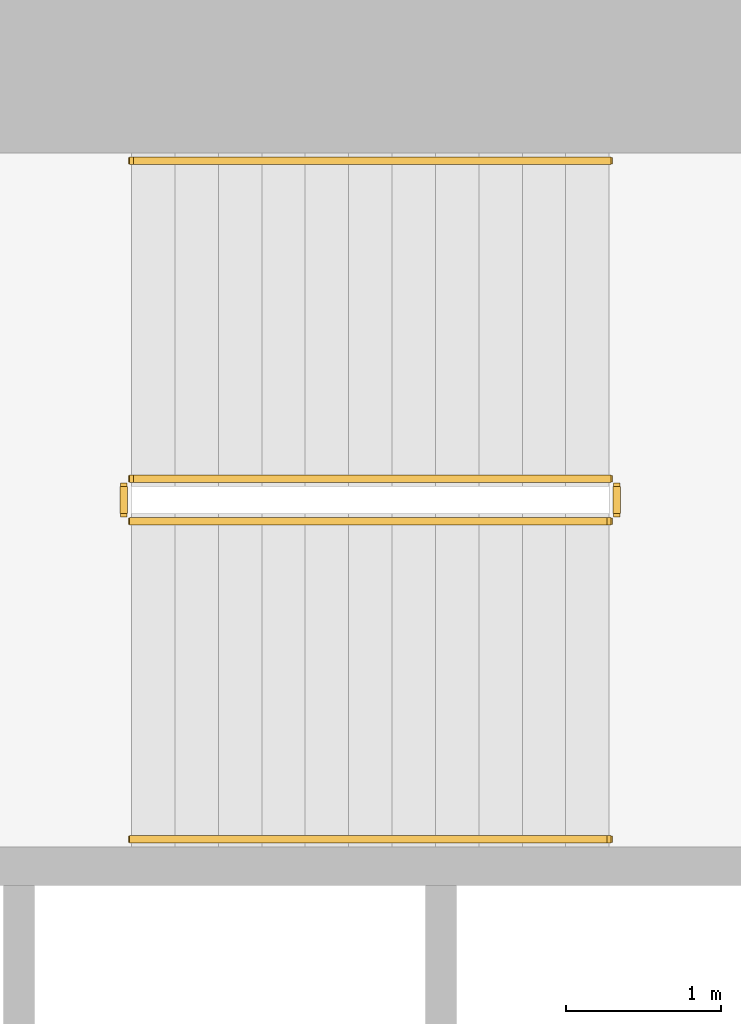
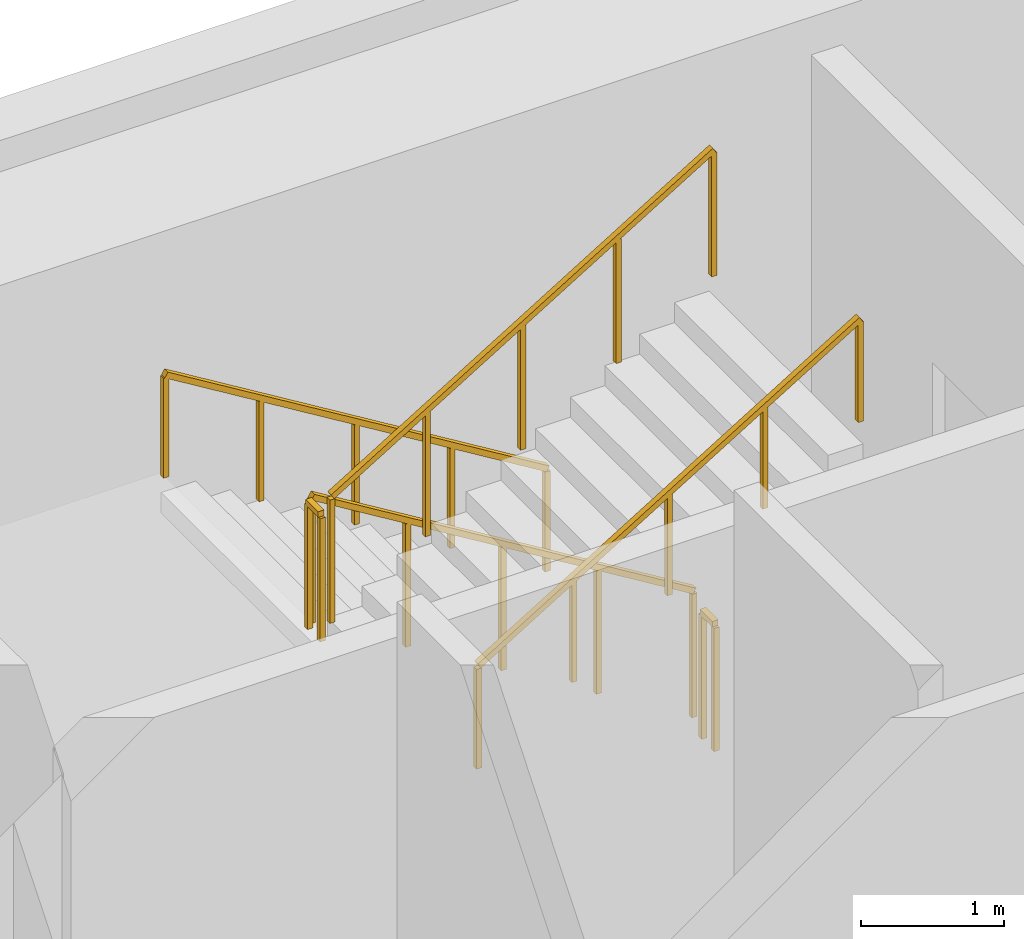
# One storey, part 14 of 16: 6 railings.
"""IFC4 building model written with IfcOpenShell, lengths in metres."""

from ifc_helpers import new_model, si_unit, direction, frame, origin, origin_2d, place, context, subcontext, project, spatial, rectangle, extrude, material, type_object, element, save


model = new_model("IFC4")

# Units and contexts
model_context = context("Model", 3, precision=1e-05, world=origin(), true_north=direction((0.0, 1.0)))
body_context = subcontext(model_context, "Body", "Model", "MODEL_VIEW")
ifc_project = project(units=[si_unit("LENGTHUNIT", "METRE"), si_unit("AREAUNIT", "SQUARE_METRE"), si_unit("VOLUMEUNIT", "CUBIC_METRE"), si_unit("PLANEANGLEUNIT", "RADIAN"), si_unit("MASSUNIT", "GRAM", prefix="KILO")], contexts=[model_context])

# Site, building, storey
site_placement = place(None, origin())
site = spatial("IfcSite", under=ifc_project, at=site_placement, CompositionType="ELEMENT")
building_placement = place(site_placement, origin())
building = spatial("IfcBuilding", under=site, at=building_placement, Name="Cypress Arch Tower", CompositionType="ELEMENT")
storey_placement = place(building_placement, frame((0.0, 0.0, 172.800048828125)))
storey = spatial("IfcBuildingStorey", under=building, at=storey_placement, Name="L37", CompositionType="ELEMENT", Elevation=172.800048828125)

# Railings
ifc_material_1 = material(Name="Black powder-coated steel square bar 48 mm", Category="steel")
railing_type_1 = type_object("IfcRailingType", Name="Stair handrail HR1", PredefinedType="HANDRAIL", material=ifc_material_1)
railing_1_placement = place(storey_placement, frame((-22.27490234375, 14.75, 0.1708984375)))
element("IfcRailing", 1, at=railing_1_placement, inside=storey, type_object=railing_type_1, Name="L37 B stair handrail 1", PredefinedType="HANDRAIL", context=body_context, shape_type="SweptSolid", body=[
    extrude(rectangle(XDim=0.048095703125, YDim=0.048095703125, at=origin_2d()), frame((0.0, 0.0, 0.8759765625), z_axis=(-0.853666305674, 0.0, 0.52082035152), x_axis=(0.0, -1.0, 0.0)), (0.0, 0.0, 1.0), 3.608154296875),
    extrude(rectangle(XDim=0.0419921875, YDim=0.0419921875, at=origin_2d()), origin(), (0.0, 0.0, 1.0), 0.851806640625),
    extrude(rectangle(XDim=0.0419921875, YDim=0.0419921875, at=origin_2d()), frame((-0.77001953125, 0.0, 0.4697265625)), (0.0, 0.0, 1.0), 0.851806640625),
    extrude(rectangle(XDim=0.0419921875, YDim=0.0419921875, at=origin_2d()), frame((-1.5400390625, 0.0, 0.939453125)), (0.0, 0.0, 1.0), 0.851806640625),
    extrude(rectangle(XDim=0.0419921875, YDim=0.0419921875, at=origin_2d()), frame((-2.31005859375, 0.0, 1.409423828125)), (0.0, 0.0, 1.0), 0.851806640625),
    extrude(rectangle(XDim=0.0419921875, YDim=0.0419921875, at=origin_2d()), frame((-3.080078125, 0.0, 1.879150390625)), (0.0, 0.0, 1.0), 0.851806640625),
])
railing_2_placement = place(storey_placement, frame((-25.35498046875, 10.375, 2.220703125)))
element("IfcRailing", 2, at=railing_2_placement, inside=storey, type_object=railing_type_1, Name="L37 B stair handrail 2", PredefinedType="HANDRAIL", context=body_context, shape_type="SweptSolid", body=[
    extrude(rectangle(XDim=0.048095703125, YDim=0.048095703125, at=origin_2d()), frame((0.0, 0.0, 0.8759765625), z_axis=(0.853666305674, 0.0, 0.52082035152), x_axis=(0.0, 1.0, 0.0)), (0.0, 0.0, 1.0), 3.608154296875),
    extrude(rectangle(XDim=0.0419921875, YDim=0.0419921875, at=origin_2d()), origin(), (0.0, 0.0, 1.0), 0.851806640625),
    extrude(rectangle(XDim=0.0419921875, YDim=0.0419921875, at=origin_2d()), frame((0.77001953125, 0.0, 0.4697265625)), (0.0, 0.0, 1.0), 0.851806640625),
    extrude(rectangle(XDim=0.0419921875, YDim=0.0419921875, at=origin_2d()), frame((1.5400390625, 0.0, 0.939453125)), (0.0, 0.0, 1.0), 0.851806640625),
    extrude(rectangle(XDim=0.0419921875, YDim=0.0419921875, at=origin_2d()), frame((2.31005859375, 0.0, 1.409423828125)), (0.0, 0.0, 1.0), 0.851806640625),
    extrude(rectangle(XDim=0.0419921875, YDim=0.0419921875, at=origin_2d()), frame((3.080078125, 0.0, 1.879150390625)), (0.0, 0.0, 1.0), 0.851806640625),
])
ifc_material_2 = material(Name="Black powder-coated steel balusters", Category="steel")
railing_type_2 = type_object("IfcRailingType", Name="Stair well guard G1", PredefinedType="GUARDRAIL", material=ifc_material_2)
railing_3_placement = place(storey_placement, frame((-22.27490234375, 12.699951171875, 0.1708984375)))
element("IfcRailing", 3, at=railing_3_placement, inside=storey, type_object=railing_type_2, Name="L37 B stair guard 1", PredefinedType="GUARDRAIL", context=body_context, shape_type="SweptSolid", body=[
    extrude(rectangle(XDim=0.048095703125, YDim=0.048095703125, at=origin_2d()), frame((0.0, 0.0, 1.076171875), z_axis=(-0.853666305674, 0.0, 0.52082035152), x_axis=(0.0, -1.0, 0.0)), (0.0, 0.0, 1.0), 3.608154296875),
    extrude(rectangle(XDim=0.0419921875, YDim=0.0419921875, at=origin_2d()), origin(), (0.0, 0.0, 1.0), 1.052001953125),
    extrude(rectangle(XDim=0.0419921875, YDim=0.0419921875, at=origin_2d()), frame((-0.77001953125, 0.0, 0.4697265625)), (0.0, 0.0, 1.0), 1.052001953125),
    extrude(rectangle(XDim=0.0419921875, YDim=0.0419921875, at=origin_2d()), frame((-1.5400390625, 0.0, 0.939453125)), (0.0, 0.0, 1.0), 1.052001953125),
    extrude(rectangle(XDim=0.0419921875, YDim=0.0419921875, at=origin_2d()), frame((-2.31005859375, 0.0, 1.409423828125)), (0.0, 0.0, 1.0), 1.052001953125),
    extrude(rectangle(XDim=0.0419921875, YDim=0.0419921875, at=origin_2d()), frame((-3.080078125, 0.0, 1.879150390625)), (0.0, 0.0, 1.0), 1.052001953125),
])
railing_4_placement = place(storey_placement, frame((-25.405029296875, 12.64990234375, 2.050048828125)))
element("IfcRailing", 4, at=railing_4_placement, inside=storey, type_object=railing_type_2, Name="L37 B stair guard 2", PredefinedType="GUARDRAIL", context=body_context, shape_type="SweptSolid", body=[
    extrude(rectangle(XDim=0.048095703125, YDim=0.048095703125, at=origin_2d()), frame((0.0, 0.0, 1.076171875), z_axis=(0.0, -1.0, 0.0), x_axis=(1.0, 0.0, 0.0)), (0.0, 0.0, 1.0), 0.1748046875),
    extrude(rectangle(XDim=0.0419921875, YDim=0.0419921875, at=origin_2d()), origin(), (0.0, 0.0, 1.0), 1.052001953125),
    extrude(rectangle(XDim=0.0419921875, YDim=0.0419921875, at=origin_2d()), frame((0.0, -0.1748046875, 0.0)), (0.0, 0.0, 1.0), 1.052001953125),
])
railing_5_placement = place(storey_placement, frame((-25.35498046875, 12.425048828125, 2.220703125)))
element("IfcRailing", 5, at=railing_5_placement, inside=storey, type_object=railing_type_2, Name="L37 B stair guard 3", PredefinedType="GUARDRAIL", context=body_context, shape_type="SweptSolid", body=[
    extrude(rectangle(XDim=0.048095703125, YDim=0.048095703125, at=origin_2d()), frame((0.0, 0.0, 1.076171875), z_axis=(0.853666305674, 0.0, 0.52082035152), x_axis=(0.0, 1.0, 0.0)), (0.0, 0.0, 1.0), 3.608154296875),
    extrude(rectangle(XDim=0.0419921875, YDim=0.0419921875, at=origin_2d()), origin(), (0.0, 0.0, 1.0), 1.052001953125),
    extrude(rectangle(XDim=0.0419921875, YDim=0.0419921875, at=origin_2d()), frame((0.77001953125, 0.0, 0.4697265625)), (0.0, 0.0, 1.0), 1.052001953125),
    extrude(rectangle(XDim=0.0419921875, YDim=0.0419921875, at=origin_2d()), frame((1.5400390625, 0.0, 0.939453125)), (0.0, 0.0, 1.0), 1.052001953125),
    extrude(rectangle(XDim=0.0419921875, YDim=0.0419921875, at=origin_2d()), frame((2.31005859375, 0.0, 1.409423828125)), (0.0, 0.0, 1.0), 1.052001953125),
    extrude(rectangle(XDim=0.0419921875, YDim=0.0419921875, at=origin_2d()), frame((3.080078125, 0.0, 1.879150390625)), (0.0, 0.0, 1.0), 1.052001953125),
])
railing_6_placement = place(storey_placement, frame((-22.22509765625, 12.64990234375, 0.0)))
element("IfcRailing", 6, at=railing_6_placement, inside=storey, type_object=railing_type_2, Name="L37 B stair guard 4", PredefinedType="GUARDRAIL", context=body_context, shape_type="SweptSolid", body=[
    extrude(rectangle(XDim=0.048095703125, YDim=0.048095703125, at=origin_2d()), frame((0.0, 0.0, 1.076171875), z_axis=(0.0, -1.0, 0.0), x_axis=(1.0, 0.0, 0.0)), (0.0, 0.0, 1.0), 0.1748046875),
    extrude(rectangle(XDim=0.0419921875, YDim=0.0419921875, at=origin_2d()), origin(), (0.0, 0.0, 1.0), 1.052001953125),
    extrude(rectangle(XDim=0.0419921875, YDim=0.0419921875, at=origin_2d()), frame((0.0, -0.1748046875, 0.0)), (0.0, 0.0, 1.0), 1.052001953125),
])

save(model, "model.ifc")
